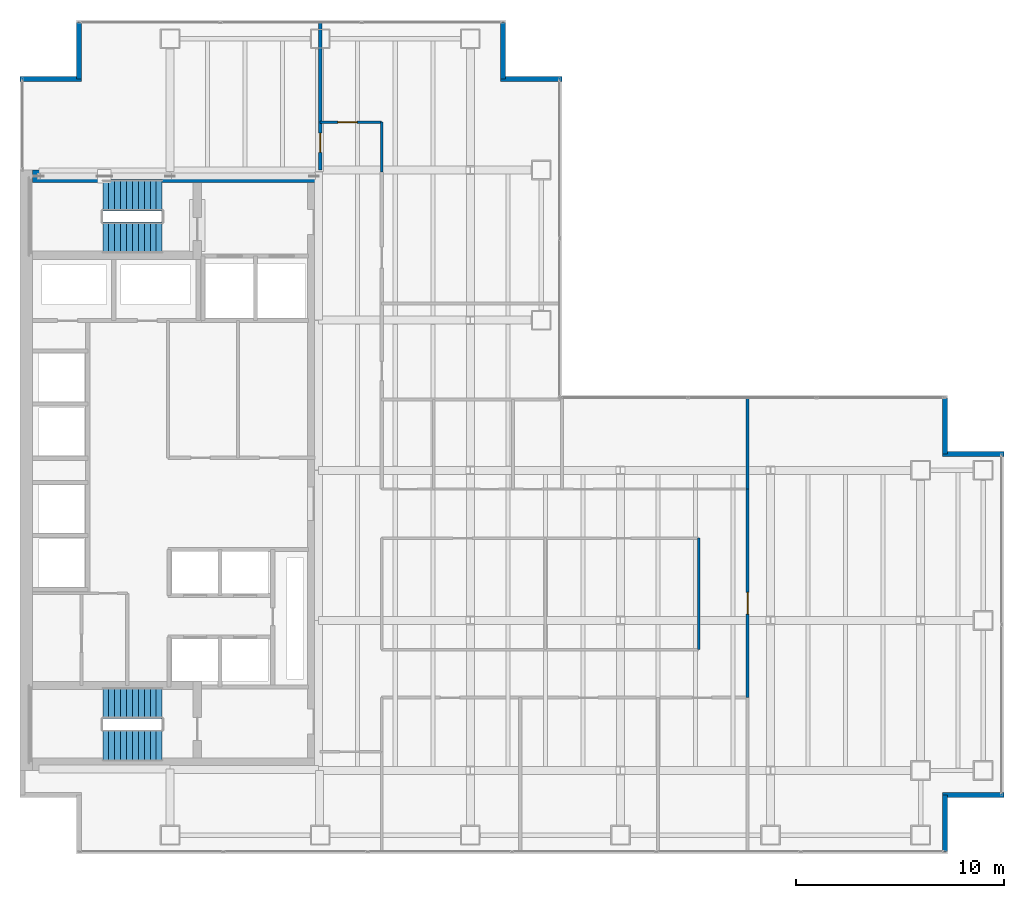
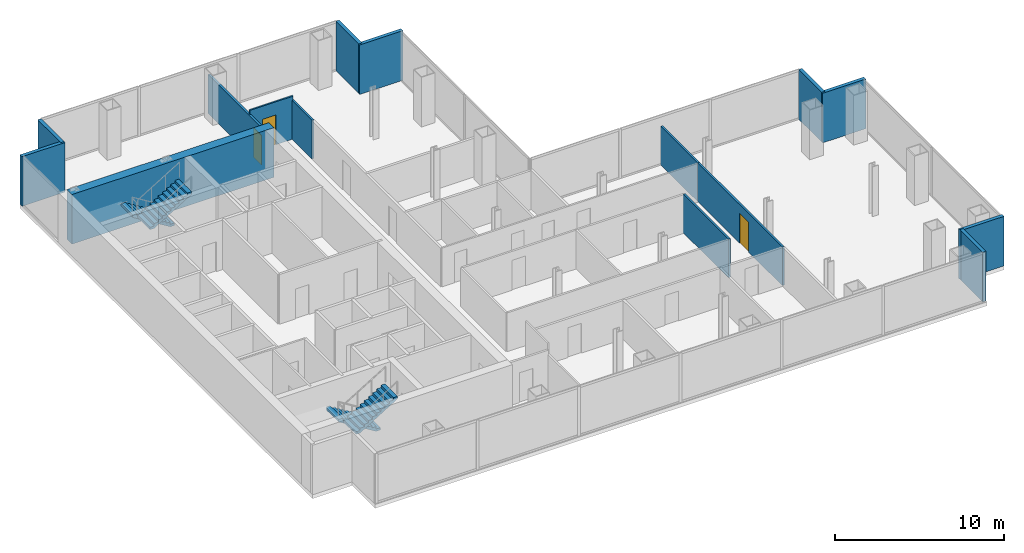
# One storey, part 22 of 23: 15 walls, 4 stair flights, 3 doors, 3 openings, 2 elements without a shape of their own.
"""IFC4 building model written with IfcOpenShell, lengths in metres."""

from ifc_helpers import new_model, si_unit, direction, frame, frame_2d, origin, place, context, subcontext, project, spatial, polyline, rectangle, outline, extrude, material, layer, layer_set, type_object, element, fill, aggregate, save


model = new_model("IFC4")

# Units and contexts
model_context = context("Model", 3, precision=1e-05, world=origin(), true_north=direction((0.0, 1.0)))
body_context = subcontext(model_context, "Body", "Model", "MODEL_VIEW")
ifc_project = project(units=[si_unit("LENGTHUNIT", "METRE"), si_unit("AREAUNIT", "SQUARE_METRE"), si_unit("VOLUMEUNIT", "CUBIC_METRE"), si_unit("PLANEANGLEUNIT", "RADIAN"), si_unit("MASSUNIT", "GRAM", prefix="KILO")], contexts=[model_context])

# Site, building, storey
site_placement = place(None, origin())
site = spatial("IfcSite", under=ifc_project, at=site_placement, CompositionType="ELEMENT")
building_placement = place(site_placement, origin())
building = spatial("IfcBuilding", under=site, at=building_placement, Name="Cobrela Telecom Tower", CompositionType="ELEMENT")
storey_placement = place(building_placement, frame((0.0, 0.0, 109.89990234375)))
storey = spatial("IfcBuildingStorey", under=building, at=storey_placement, Name="L27", CompositionType="ELEMENT", Elevation=109.89990234375)

# Walls
ifc_material_1 = material(Name="Concrete C50/60", Category="concrete")
ifc_layer_1 = layer(ifc_material_1, 0.60009765625)
ifc_layer_set_1 = layer_set([ifc_layer_1], Name="Concrete C50/60")
wall_type_1 = type_object("IfcWallType", Name="WALL-CORE-C50-600", PredefinedType="SHEAR", material=ifc_layer_set_1)
wall_1_placement = place(storey_placement, frame((0.60009765625, 35.699951171875, 0.0), z_axis=(0.0, 0.0, 1.0), x_axis=(1.0, 0.0, 0.0)))
element("IfcWall", 1, at=wall_1_placement, inside=storey, type_object=wall_type_1, Name="L27 North Core Shear Wall", PredefinedType="SHEAR", context=body_context, shape_type="SweptSolid", body=[
    extrude(rectangle(XDim=13.7998046875, YDim=0.60009765625, at=frame_2d((6.89990234375, 0.0))), origin(), (0.0, 0.0, 1.0), 3.580078125),
])
ifc_material_2 = material(Name="Concrete C40/50", Category="concrete")
ifc_layer_2 = layer(ifc_material_2, 0.239990234375)
ifc_layer_set_2 = layer_set([ifc_layer_2], Name="Concrete C40/50")
wall_type_2 = type_object("IfcWallType", Name="WALL-EXT-300", PredefinedType="STANDARD", material=ifc_layer_set_2)
wall_2_placement = place(storey_placement, frame((0.0, 40.3701171875, 0.0), z_axis=(0.0, 0.0, 1.0), x_axis=(1.0, 0.0, 0.0)))
element("IfcWall", 2, at=wall_2_placement, inside=storey, type_object=wall_type_2, Name="L27 Insulated Facade Wall 05", PredefinedType="STANDARD", context=body_context, shape_type="SweptSolid", body=[
    extrude(rectangle(XDim=2.949951171875, YDim=0.239990234375, at=frame_2d((1.47509765625, 0.0))), origin(), (0.0, 0.0, 1.0), 3.580078125),
])
for number, where, z_axis, x_axis, name in (
    (3, (2.830078125, 40.3701171875, 0.0), (0.0, 0.0, 1.0), (0.0, 1.0, 0.0), "L27 Insulated Facade Wall 06"),
    (4, (23.169921875, 43.080078125, 0.0), (0.0, 0.0, 1.0), (0.0, -1.0, 0.0), "L27 Insulated Facade Wall 08"),
):
    element("IfcWall", number, at=place(storey_placement, frame(where, z_axis=z_axis, x_axis=x_axis)), inside=storey, type_object=wall_type_2, Name=name, PredefinedType="STANDARD", context=body_context, shape_type="SweptSolid", body=[
        extrude(rectangle(XDim=2.7099609375, YDim=0.239990234375, at=frame_2d((1.35498046875, 0.0))), origin(), (0.0, 0.0, 1.0), 3.580078125),
    ])
wall_3_placement = place(storey_placement, frame((23.050048828125, 40.3701171875, 0.0), z_axis=(0.0, 0.0, 1.0), x_axis=(1.0, 0.0, 0.0)))
element("IfcWall", 5, at=wall_3_placement, inside=storey, type_object=wall_type_2, Name="L27 Insulated Facade Wall 09", PredefinedType="STANDARD", context=body_context, shape_type="SweptSolid", body=[
    extrude(rectangle(XDim=2.949951171875, YDim=0.239990234375, at=frame_2d((1.47509765625, 0.0))), origin(), (0.0, 0.0, 1.0), 3.580078125),
])
wall_4_placement = place(storey_placement, frame((44.3701171875, 25.080078125, 0.0), z_axis=(0.0, 0.0, 1.0), x_axis=(0.0, -1.0, 0.0)))
element("IfcWall", 6, at=wall_4_placement, inside=storey, type_object=wall_type_2, Name="L27 Insulated Facade Wall 12", PredefinedType="STANDARD", context=body_context, shape_type="SweptSolid", body=[
    extrude(rectangle(XDim=2.7099609375, YDim=0.239990234375, at=frame_2d((1.35498046875, 0.0))), origin(), (0.0, 0.0, 1.0), 3.580078125),
])
for number, where, z_axis, x_axis, name in (
    (7, (44.25, 22.3701171875, 0.0), (0.0, 0.0, 1.0), (1.0, 0.0, 0.0), "L27 Insulated Facade Wall 13"),
    (8, (47.199951171875, 6.030029296875, 0.0), (0.0, 0.0, 1.0), (-1.0, 0.0, 0.0), "L27 Insulated Facade Wall 15"),
):
    element("IfcWall", number, at=place(storey_placement, frame(where, z_axis=z_axis, x_axis=x_axis)), inside=storey, type_object=wall_type_2, Name=name, PredefinedType="STANDARD", context=body_context, shape_type="SweptSolid", body=[
        extrude(rectangle(XDim=2.949951171875, YDim=0.239990234375, at=frame_2d((1.47509765625, 0.0))), origin(), (0.0, 0.0, 1.0), 3.580078125),
    ])
wall_5_placement = place(storey_placement, frame((44.3701171875, 6.030029296875, 0.0), z_axis=(0.0, 0.0, 1.0), x_axis=(0.0, -1.0, 0.0)))
element("IfcWall", 9, at=wall_5_placement, inside=storey, type_object=wall_type_2, Name="L27 Insulated Facade Wall 16", PredefinedType="STANDARD", context=body_context, shape_type="SweptSolid", body=[
    extrude(rectangle(XDim=2.7099609375, YDim=0.239990234375, at=frame_2d((1.35498046875, 0.0))), origin(), (0.0, 0.0, 1.0), 3.580078125),
])

# Wall, opening, door
ifc_material_3 = material(Name="Fire-Rated Gypsum Plasterboard")
ifc_layer_3 = layer(ifc_material_3, 0.110107421875)
ifc_layer_set_3 = layer_set([ifc_layer_3], Name="Fire-Rated Gypsum Plasterboard")
wall_type_3 = type_object("IfcWallType", Name="WALL-PART-110", PredefinedType="PARTITIONING", material=ifc_layer_set_3)
wall_6_placement = place(storey_placement, frame((14.39990234375, 38.300048828125, 0.0), z_axis=(0.0, 0.0, 1.0), x_axis=(1.0, 0.0, 0.0)))
wall_6 = element("IfcWall", 10, at=wall_6_placement, inside=storey, type_object=wall_type_3, Name="L27 Interior Partition W-UWN-T", PredefinedType="PARTITIONING", context=body_context, shape_type="SweptSolid", body=[
    extrude(rectangle(XDim=2.9501953125, YDim=0.110107421875, at=frame_2d((1.47509765625, 0.0))), origin(), (0.0, 0.0, 1.0), 3.09814453125),
])
opening_1_placement = place(wall_6_placement, frame((0.85009765625, 0.0, 0.0)))
opening_1 = element("IfcOpeningElement", 11, at=opening_1_placement, cuts=wall_6, Name="Opening DR-45", PredefinedType="OPENING", context=body_context, shape_type="SweptSolid", body=[
    extrude(rectangle(XDim=0.919921875, YDim=2.14990234375, at=frame_2d((0.4599609375, 1.074951171875))), frame((0.0, 0.06689453125, 0.0), z_axis=(0.0, -1.0, 0.0), x_axis=(1.0, 0.0, 0.0)), (0.0, 0.0, 1.0), 0.134033203125),
])
ifc_material_4 = material(Name="Solid Engineered Oak Timber", Category="wood")
door_type_1 = type_object("IfcDoorType", Name="DOOR-INT-920", OperationType="SINGLE_SWING_LEFT", PredefinedType="DOOR", material=ifc_material_4)
door_1_placement = place(opening_1_placement, origin())
door_1 = element("IfcDoor", 12, at=door_1_placement, inside=storey, type_object=door_type_1, Name="L27 Door DR-45", OperationType="SINGLE_SWING_RIGHT", OverallHeight=2.14990234375, OverallWidth=0.919921875, PredefinedType="DOOR", context=body_context, shape_type="SweptSolid", body=[
    extrude(rectangle(XDim=0.919921875, YDim=2.14990234375, at=frame_2d((0.4599609375, 1.074951171875))), frame((0.0, 0.02490234375, 0.0), z_axis=(0.0, -1.0, 0.0), x_axis=(1.0, 0.0, 0.0)), (0.0, 0.0, 1.0), 0.050048828125),
])
fill(opening_1, door_1)

# Wall
ifc_layer_4 = layer(ifc_material_3, 0.125)
ifc_layer_set_4 = layer_set([ifc_layer_4], Name="Fire-Rated Gypsum Plasterboard")
wall_type_4 = type_object("IfcWallType", Name="WALL-PART-125", PredefinedType="PARTITIONING", material=ifc_layer_set_4)
wall_7_placement = place(storey_placement, frame((32.550048828125, 13.0, 0.0), z_axis=(0.0, 0.0, 1.0), x_axis=(0.0, 1.0, 0.0)))
element("IfcWall", 13, at=wall_7_placement, inside=storey, type_object=wall_type_4, Name="L27 Interior Partition W-ISL-E", PredefinedType="PARTITIONING", context=body_context, shape_type="SweptSolid", body=[
    extrude(rectangle(XDim=5.35009765625, YDim=0.125, at=frame_2d((2.675048828125, 0.0))), origin(), (0.0, 0.0, 1.0), 2.793212890625),
])

# Wall, opening, door
ifc_layer_5 = layer(ifc_material_3, 0.135009765625)
ifc_layer_set_5 = layer_set([ifc_layer_5], Name="Fire-Rated Gypsum Plasterboard")
wall_type_5 = type_object("IfcWallType", Name="WALL-PART-135", PredefinedType="PARTITIONING", material=ifc_layer_set_5)
wall_8_placement = place(storey_placement, frame((34.89990234375, 10.699951171875, 0.0), z_axis=(0.0, 0.0, 1.0), x_axis=(0.0, 1.0, 0.0)))
wall_8 = element("IfcWall", 14, at=wall_8_placement, inside=storey, type_object=wall_type_5, Name="L27 Interior Partition W-UE-E", PredefinedType="PARTITIONING", context=body_context, shape_type="SweptSolid", body=[
    extrude(rectangle(XDim=10.0, YDim=0.135009765625, at=frame_2d((5.0, 0.0))), origin(), (0.0, 0.0, 1.0), 2.793212890625),
])
opening_2_placement = place(wall_8_placement, frame((4.0, 0.0, 0.0)))
opening_2 = element("IfcOpeningElement", 15, at=opening_2_placement, cuts=wall_8, Name="Opening DR-29", PredefinedType="OPENING", context=body_context, shape_type="SweptSolid", body=[
    extrude(rectangle(XDim=1.050048828125, YDim=2.14990234375, at=frame_2d((0.52490234375, 1.074951171875))), frame((0.0, 0.07958984375, 0.0), z_axis=(0.0, -1.0, 0.0), x_axis=(1.0, 0.0, 0.0)), (0.0, 0.0, 1.0), 0.158935546875),
])
door_type_2 = type_object("IfcDoorType", Name="DOOR-INT-1050", OperationType="SINGLE_SWING_LEFT", PredefinedType="DOOR", material=ifc_material_4)
door_2_placement = place(opening_2_placement, origin())
door_2 = element("IfcDoor", 16, at=door_2_placement, inside=storey, type_object=door_type_2, Name="L27 Door DR-29", OperationType="SINGLE_SWING_LEFT", OverallHeight=2.14990234375, OverallWidth=1.050048828125, PredefinedType="DOOR", context=body_context, shape_type="SweptSolid", body=[
    extrude(rectangle(XDim=1.050048828125, YDim=2.14990234375, at=frame_2d((0.52490234375, 1.074951171875))), frame((0.0, 0.02490234375, 0.0), z_axis=(0.0, -1.0, 0.0), x_axis=(1.0, 0.0, 0.0)), (0.0, 0.0, 1.0), 0.050048828125),
])
fill(opening_2, door_2)

# Walls
wall_9_placement = place(storey_placement, frame((17.35009765625, 35.89990234375, 0.0), z_axis=(0.0, 0.0, 1.0), x_axis=(0.0, 1.0, 0.0)))
element("IfcWall", 17, at=wall_9_placement, inside=storey, type_object=wall_type_5, Name="L27 Interior Partition W-UWN-E", PredefinedType="PARTITIONING", context=body_context, shape_type="SweptSolid", body=[
    extrude(rectangle(XDim=2.400146484375, YDim=0.135009765625, at=frame_2d((1.2001953125, 0.0))), origin(), (0.0, 0.0, 1.0), 2.793212890625),
])
wall_10_placement = place(storey_placement, frame((34.89990234375, 20.699951171875, 0.0), z_axis=(0.0, 0.0, 1.0), x_axis=(0.0, 1.0, 0.0)))
element("IfcWall", 18, at=wall_10_placement, inside=storey, type_object=wall_type_5, Name="L27 Interior Partition W-UFE-N", PredefinedType="PARTITIONING", context=body_context, shape_type="SweptSolid", body=[
    extrude(rectangle(XDim=4.380126953125, YDim=0.135009765625, at=frame_2d((2.18994140625, 0.0))), origin(), (0.0, 0.0, 1.0), 2.793212890625),
])

# Wall, opening, door
ifc_layer_6 = layer(ifc_material_3, 0.14990234375)
ifc_layer_set_6 = layer_set([ifc_layer_6], Name="Fire-Rated Gypsum Plasterboard")
wall_type_6 = type_object("IfcWallType", Name="WALL-PART-150", PredefinedType="PARTITIONING", material=ifc_layer_set_6)
wall_11_placement = place(storey_placement, frame((14.39990234375, 36.0, 0.0), z_axis=(0.0, 0.0, 1.0), x_axis=(0.0, 1.0, 0.0)))
wall_11 = element("IfcWall", 19, at=wall_11_placement, inside=storey, type_object=wall_type_6, Name="L27 Interior Partition W-UWN-W", PredefinedType="PARTITIONING", context=body_context, shape_type="SweptSolid", body=[
    extrude(rectangle(XDim=7.080078125, YDim=0.14990234375, at=frame_2d((3.5400390625, 0.0))), origin(), (0.0, 0.0, 1.0), 2.793212890625),
])
opening_3_placement = place(wall_11_placement, frame((0.85009765625, 0.0, 0.0)))
opening_3 = element("IfcOpeningElement", 20, at=opening_3_placement, cuts=wall_11, Name="Opening DR-45", PredefinedType="OPENING", context=body_context, shape_type="SweptSolid", body=[
    extrude(rectangle(XDim=0.919921875, YDim=2.14990234375, at=frame_2d((0.4599609375, 1.074951171875))), frame((0.0, 0.0869140625, 0.0), z_axis=(0.0, -1.0, 0.0), x_axis=(1.0, 0.0, 0.0)), (0.0, 0.0, 1.0), 0.173828125),
])
door_3_placement = place(opening_3_placement, origin())
door_3 = element("IfcDoor", 21, at=door_3_placement, inside=storey, type_object=door_type_1, Name="L27 Door DR-45", OperationType="SINGLE_SWING_LEFT", OverallHeight=2.14990234375, OverallWidth=0.919921875, PredefinedType="DOOR", context=body_context, shape_type="SweptSolid", body=[
    extrude(rectangle(XDim=0.919921875, YDim=2.14990234375, at=frame_2d((0.4599609375, 1.074951171875))), frame((0.0, 0.02490234375, 0.0), z_axis=(0.0, -1.0, 0.0), x_axis=(1.0, 0.0, 0.0)), (0.0, 0.0, 1.0), 0.050048828125),
])
fill(opening_3, door_3)

# Stair, stair flights
stair_type = type_object("IfcStairType", Name="STAIR-CORE", PredefinedType="HALF_TURN_STAIR", material=ifc_material_2)
stair_1_placement = place(storey_placement, origin())
stair_1 = element("IfcStair", 22, at=stair_1_placement, inside=storey, type_object=stair_type, Name="L27 Smokeproof Exit Stair ST1", PredefinedType="HALF_TURN_STAIR")
stair_flight_type = type_object("IfcStairFlightType", Name="FLIGHT-CORE", PredefinedType="STRAIGHT", material=ifc_material_2)
stair_flight_1_placement = place(storey_placement, frame((6.820068359375, 34.800048828125, 0.0), z_axis=(0.0, 0.0, 1.0), x_axis=(-1.0, 0.0, 0.0)))
stair_flight_1 = element("IfcStairFlight", 23, at=stair_flight_1_placement, type_object=stair_flight_type, Name="ST1 flight 1", NumberOfRisers=11, NumberOfTreads=10, PredefinedType="STRAIGHT", RiserHeight=0.175, TreadLength=0.285, context=body_context, shape_type="SweptSolid", body=[
    extrude(outline(polyline([(0.0, 0.0), (0.0, 0.175048828125), (0.284912109375, 0.175048828125), (0.284912109375, 0.35009765625), (0.570068359375, 0.35009765625), (0.570068359375, 0.52490234375), (0.85498046875, 0.52490234375), (0.85498046875, 0.699951171875), (1.139892578125, 0.699951171875), (1.139892578125, 0.875), (1.425048828125, 0.875), (1.425048828125, 1.050048828125), (1.7099609375, 1.050048828125), (1.7099609375, 1.22509765625), (1.9951171875, 1.22509765625), (1.9951171875, 1.39990234375), (2.280029296875, 1.39990234375), (2.280029296875, 1.574951171875), (2.56494140625, 1.574951171875), (2.56494140625, 1.75), (2.85009765625, 1.75), (2.85009765625, 1.925048828125), (2.85009765625, 1.573974609375), (0.286376953125, 0.0), (0.0, 0.0)])), frame((0.0, 0.75, 0.0), z_axis=(0.0, -1.0, 0.0), x_axis=(1.0, 0.0, 0.0)), (0.0, 0.0, 1.0), 1.5),
])
stair_flight_2_placement = place(storey_placement, frame((3.969970703125, 32.75, 1.925048828125), z_axis=(0.0, 0.0, 1.0), x_axis=(1.0, 0.0, 0.0)))
stair_flight_2 = element("IfcStairFlight", 24, at=stair_flight_2_placement, type_object=stair_flight_type, Name="ST1 flight 2", NumberOfRisers=11, NumberOfTreads=10, PredefinedType="STRAIGHT", RiserHeight=0.175, TreadLength=0.285, context=body_context, shape_type="SweptSolid", body=[
    extrude(outline(polyline([(0.0, 0.0), (0.0, 0.175048828125), (0.284912109375, 0.175048828125), (0.284912109375, 0.35009765625), (0.570068359375, 0.35009765625), (0.570068359375, 0.52490234375), (0.85498046875, 0.52490234375), (0.85498046875, 0.699951171875), (1.139892578125, 0.699951171875), (1.139892578125, 0.875), (1.425048828125, 0.875), (1.425048828125, 1.050048828125), (1.7099609375, 1.050048828125), (1.7099609375, 1.22509765625), (1.9951171875, 1.22509765625), (1.9951171875, 1.39990234375), (2.280029296875, 1.39990234375), (2.280029296875, 1.574951171875), (2.56494140625, 1.574951171875), (2.56494140625, 1.75), (2.85009765625, 1.75), (2.85009765625, 1.925048828125), (2.85009765625, 1.573974609375), (0.286376953125, 0.0), (0.0, 0.0)])), frame((0.0, 0.75, 0.0), z_axis=(0.0, -1.0, 0.0), x_axis=(1.0, 0.0, 0.0)), (0.0, 0.0, 1.0), 1.5),
])
aggregate(stair_1, [stair_flight_1, stair_flight_2])

stair_2_placement = place(storey_placement, origin())
stair_2 = element("IfcStair", 25, at=stair_2_placement, inside=storey, type_object=stair_type, Name="L27 Smokeproof Exit Stair ST2", PredefinedType="HALF_TURN_STAIR")
stair_flight_3_placement = place(storey_placement, frame((6.820068359375, 10.449951171875, 0.0), z_axis=(0.0, 0.0, 1.0), x_axis=(-1.0, 0.0, 0.0)))
stair_flight_3 = element("IfcStairFlight", 26, at=stair_flight_3_placement, type_object=stair_flight_type, Name="ST2 flight 1", NumberOfRisers=11, NumberOfTreads=10, PredefinedType="STRAIGHT", RiserHeight=0.175, TreadLength=0.285, context=body_context, shape_type="SweptSolid", body=[
    extrude(outline(polyline([(0.0, 0.0), (0.0, 0.175048828125), (0.284912109375, 0.175048828125), (0.284912109375, 0.35009765625), (0.570068359375, 0.35009765625), (0.570068359375, 0.52490234375), (0.85498046875, 0.52490234375), (0.85498046875, 0.699951171875), (1.139892578125, 0.699951171875), (1.139892578125, 0.875), (1.425048828125, 0.875), (1.425048828125, 1.050048828125), (1.7099609375, 1.050048828125), (1.7099609375, 1.22509765625), (1.9951171875, 1.22509765625), (1.9951171875, 1.39990234375), (2.280029296875, 1.39990234375), (2.280029296875, 1.574951171875), (2.56494140625, 1.574951171875), (2.56494140625, 1.75), (2.85009765625, 1.75), (2.85009765625, 1.925048828125), (2.85009765625, 1.573974609375), (0.286376953125, 0.0), (0.0, 0.0)])), frame((0.0, 0.75, 0.0), z_axis=(0.0, -1.0, 0.0), x_axis=(1.0, 0.0, 0.0)), (0.0, 0.0, 1.0), 1.5),
])
stair_flight_4_placement = place(storey_placement, frame((3.969970703125, 8.39990234375, 1.925048828125), z_axis=(0.0, 0.0, 1.0), x_axis=(1.0, 0.0, 0.0)))
stair_flight_4 = element("IfcStairFlight", 27, at=stair_flight_4_placement, type_object=stair_flight_type, Name="ST2 flight 2", NumberOfRisers=11, NumberOfTreads=10, PredefinedType="STRAIGHT", RiserHeight=0.175, TreadLength=0.285, context=body_context, shape_type="SweptSolid", body=[
    extrude(outline(polyline([(0.0, 0.0), (0.0, 0.175048828125), (0.284912109375, 0.175048828125), (0.284912109375, 0.35009765625), (0.570068359375, 0.35009765625), (0.570068359375, 0.52490234375), (0.85498046875, 0.52490234375), (0.85498046875, 0.699951171875), (1.139892578125, 0.699951171875), (1.139892578125, 0.875), (1.425048828125, 0.875), (1.425048828125, 1.050048828125), (1.7099609375, 1.050048828125), (1.7099609375, 1.22509765625), (1.9951171875, 1.22509765625), (1.9951171875, 1.39990234375), (2.280029296875, 1.39990234375), (2.280029296875, 1.574951171875), (2.56494140625, 1.574951171875), (2.56494140625, 1.75), (2.85009765625, 1.75), (2.85009765625, 1.925048828125), (2.85009765625, 1.573974609375), (0.286376953125, 0.0), (0.0, 0.0)])), frame((0.0, 0.75, 0.0), z_axis=(0.0, -1.0, 0.0), x_axis=(1.0, 0.0, 0.0)), (0.0, 0.0, 1.0), 1.5),
])
aggregate(stair_2, [stair_flight_3, stair_flight_4])

save(model, "model.ifc")
